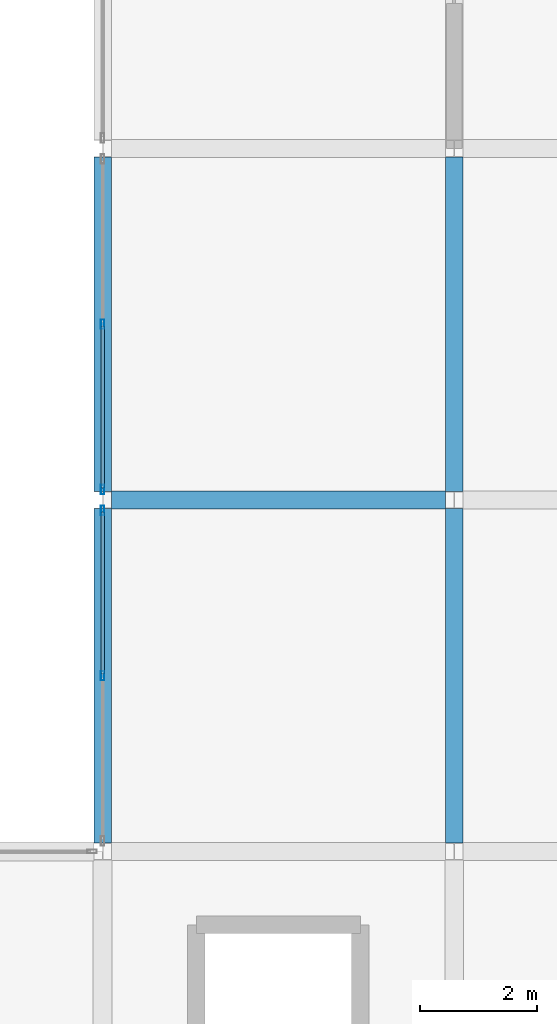
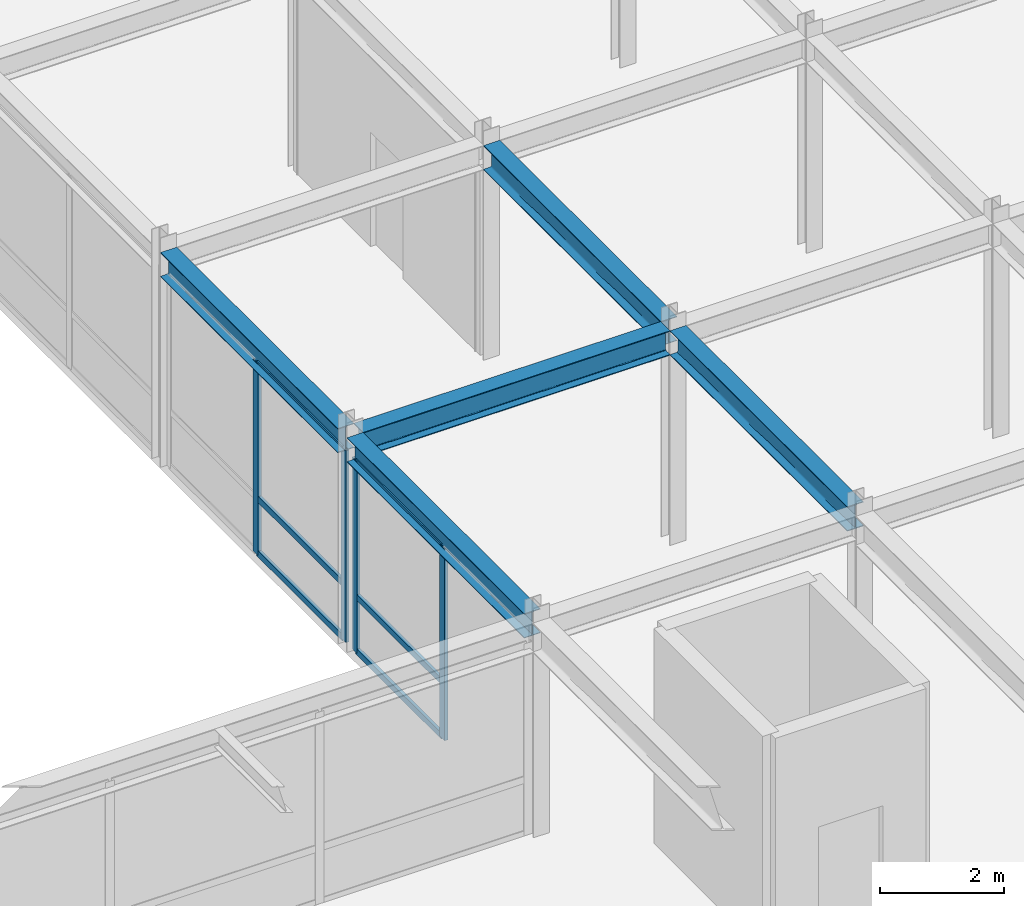
# One storey, part 44 of 108: 10 members, 5 beams, 2 elements without a shape of their own.
"""IFC4 building model written with IfcOpenShell, lengths in metres."""

from ifc_helpers import new_model, si_unit, direction, frame, origin, origin_2d, place, context, subcontext, project, spatial, hollow_rectangle, i_section, extrude, material, layer, layer_set, material_profile, profile_set, type_object, element, aggregate, save


model = new_model("IFC4")

# Units and contexts
model_context = context("Model", 3, precision=1e-05, world=origin(), true_north=direction((0.0, 1.0)))
body_context = subcontext(model_context, "Body", "Model", "MODEL_VIEW")
ifc_project = project(units=[si_unit("LENGTHUNIT", "METRE"), si_unit("AREAUNIT", "SQUARE_METRE"), si_unit("VOLUMEUNIT", "CUBIC_METRE"), si_unit("PLANEANGLEUNIT", "RADIAN"), si_unit("MASSUNIT", "GRAM", prefix="KILO")], contexts=[model_context])

# Site, building, storey
site_placement = place(None, origin())
site = spatial("IfcSite", under=ifc_project, at=site_placement, CompositionType="ELEMENT")
building_placement = place(site_placement, origin())
building = spatial("IfcBuilding", under=site, at=building_placement, Name="Zlatovratsky Civic Hall", CompositionType="ELEMENT")
storey_placement = place(building_placement, frame((0.0, 0.0, 12.0)))
storey = spatial("IfcBuildingStorey", under=building, at=storey_placement, Name="L03", CompositionType="ELEMENT", Elevation=12.0)

# Beams
ifc_material_1 = material(Name="Steel S355", Category="steel")
ifc_material_profile_1 = material_profile(ifc_material_1, i_section(OverallWidth=0.300048828125, OverallDepth=0.48193359375, WebThickness=0.010986328125, FlangeThickness=0.014892578125, FilletRadius=0.02392578125, at=origin_2d()), Name="50Sh1")
ifc_profile_set_1 = profile_set([ifc_material_profile_1], Name="Steel S355")
beam_type = type_object("IfcBeamType", Name="Beam_LibraryGirder_50Sh1", PredefinedType="BEAM", material=ifc_profile_set_1)
beam_placement = place(storey_placement, frame((48.1494140625, 36.0, 3.97900390625), z_axis=(1.0, 0.0, 0.0), x_axis=(0.0, 1.0, 0.0)))
element("IfcBeam", 1, at=beam_placement, inside=storey, type_object=beam_type, Name="BM-2545", PredefinedType="BEAM", context=body_context, shape_type="SweptSolid", body=[
    extrude(i_section(OverallWidth=0.300048828125, OverallDepth=0.48193359375, WebThickness=0.010986328125, FlangeThickness=0.014892578125, FilletRadius=0.02392578125, at=origin_2d()), origin(), (0.0, 0.0, 1.0), 5.701171875),
])
for number, where, z_axis, x_axis, name in (
    (2, (48.0, 30.14794921875, 3.97900390625), (0.0, 1.0, 0.0), (-1.0, 0.0, 0.0), "BM-2869"),
    (3, (48.0, 36.14794921875, 3.97900390625), (0.0, 1.0, 0.0), (-1.0, 0.0, 0.0), "BM-2870"),
    (4, (54.0, 30.14794921875, 3.97900390625), (0.0, 1.0, 0.0), (-1.0, 0.0, 0.0), "BM-2886"),
    (5, (54.0, 36.14794921875, 3.97900390625), (0.0, 1.0, 0.0), (-1.0, 0.0, 0.0), "BM-2887"),
):
    element("IfcBeam", number, at=place(storey_placement, frame(where, z_axis=z_axis, x_axis=x_axis)), inside=storey, type_object=beam_type, Name=name, PredefinedType="BEAM", context=body_context, shape_type="SweptSolid", body=[
        extrude(i_section(OverallWidth=0.300048828125, OverallDepth=0.48193359375, WebThickness=0.010986328125, FlangeThickness=0.014892578125, FilletRadius=0.02392578125, at=origin_2d()), origin(), (0.0, 0.0, 1.0), 5.7041015625),
    ])

# Curtain wall, members
ifc_material_2 = material(Name="Anodised bronze aluminium", Category="aluminium")
ifc_layer = layer(ifc_material_2, 0.159912109375)
ifc_layer_set = layer_set([ifc_layer], Name="Anodised bronze aluminium")
curtain_wall_type = type_object("IfcCurtainWallType", Name="CurtainWall_Bronze_5700x3770_12", PredefinedType="NOTDEFINED", material=ifc_layer_set)
curtain_wall_1_placement = place(storey_placement, origin())
curtain_wall_1 = element("IfcCurtainWall", 6, at=curtain_wall_1_placement, inside=storey, type_object=curtain_wall_type, Name="CW-063", PredefinedType="NOTDEFINED")
ifc_material_profile_2 = material_profile(ifc_material_2, hollow_rectangle(XDim=0.06005859375, YDim=0.159912109375, WallThickness=0.00390625, at=origin_2d()), Name="ALU 60x160x4")
ifc_profile_set_2 = profile_set([ifc_material_profile_2], Name="Anodised bronze aluminium")
member_type_1 = type_object("IfcMemberType", Name="CW_Mullion_60x160", PredefinedType="MULLION", material=ifc_profile_set_2)
member_1_placement = place(storey_placement, frame((48.0, 33.0, 0.0), z_axis=(0.0, 0.0, 1.0), x_axis=(-1.0, 0.0, 0.0)))
member_1 = element("IfcMember", 7, at=member_1_placement, type_object=member_type_1, Name="CW-12 mullion 2", PredefinedType="MULLION", context=body_context, shape_type="SweptSolid", body=[
    extrude(hollow_rectangle(XDim=0.06005859375, YDim=0.159912109375, WallThickness=0.00390625, at=origin_2d()), origin(), (0.0, 0.0, 1.0), 3.77001953125),
])
member_2_placement = place(storey_placement, frame((48.0, 35.822021484375, 0.0), z_axis=(0.0, 0.0, 1.0), x_axis=(-1.0, 0.0, 0.0)))
member_2 = element("IfcMember", 8, at=member_2_placement, type_object=member_type_1, Name="CW-12 mullion 3", PredefinedType="MULLION", context=body_context, shape_type="SweptSolid", body=[
    extrude(hollow_rectangle(XDim=0.06005859375, YDim=0.159912109375, WallThickness=0.00390625, at=origin_2d()), origin(), (0.0, 0.0, 1.0), 3.77001953125),
])

curtain_wall_2_placement = place(storey_placement, origin())
curtain_wall_2 = element("IfcCurtainWall", 9, at=curtain_wall_2_placement, inside=storey, type_object=curtain_wall_type, Name="CW-064", PredefinedType="NOTDEFINED")
member_3_placement = place(storey_placement, frame((48.0, 36.177978515625, 0.0), z_axis=(0.0, 0.0, 1.0), x_axis=(-1.0, 0.0, 0.0)))
member_3 = element("IfcMember", 10, at=member_3_placement, type_object=member_type_1, Name="CW-12 mullion 1", PredefinedType="MULLION", context=body_context, shape_type="SweptSolid", body=[
    extrude(hollow_rectangle(XDim=0.06005859375, YDim=0.159912109375, WallThickness=0.00390625, at=origin_2d()), origin(), (0.0, 0.0, 1.0), 3.77001953125),
])
member_4_placement = place(storey_placement, frame((48.0, 39.0, 0.0), z_axis=(0.0, 0.0, 1.0), x_axis=(-1.0, 0.0, 0.0)))
member_4 = element("IfcMember", 11, at=member_4_placement, type_object=member_type_1, Name="CW-12 mullion 2", PredefinedType="MULLION", context=body_context, shape_type="SweptSolid", body=[
    extrude(hollow_rectangle(XDim=0.06005859375, YDim=0.159912109375, WallThickness=0.00390625, at=origin_2d()), origin(), (0.0, 0.0, 1.0), 3.77001953125),
])

# Member
ifc_material_profile_3 = material_profile(ifc_material_2, hollow_rectangle(XDim=0.06005859375, YDim=0.1201171875, WallThickness=0.00390625, at=origin_2d()), Name="ALU 60x120x4")
ifc_profile_set_3 = profile_set([ifc_material_profile_3], Name="Anodised bronze aluminium")
member_type_2 = type_object("IfcMemberType", Name="CW_Transom_60x120", PredefinedType="USERDEFINED", material=ifc_profile_set_3)
member_5_placement = place(storey_placement, frame((48.0, 33.030029296875, 0.030029296875), z_axis=(0.0, 1.0, 0.0), x_axis=(-1.0, 0.0, 0.0)))
member_5 = element("IfcMember", 12, at=member_5_placement, type_object=member_type_2, Name="CW-12 transom 2.1", ObjectType="TRANSOM", PredefinedType="USERDEFINED", context=body_context, shape_type="SweptSolid", body=[
    extrude(hollow_rectangle(XDim=0.06005859375, YDim=0.1201171875, WallThickness=0.00390625, at=origin_2d()), origin(), (0.0, 0.0, 1.0), 2.761962890625),
])

member_6_placement = place(storey_placement, frame((48.0, 33.030029296875, 1.10009765625), z_axis=(0.0, 1.0, 0.0), x_axis=(-1.0, 0.0, 0.0)))
member_6 = element("IfcMember", 13, at=member_6_placement, type_object=member_type_2, Name="CW-12 transom 2.2", ObjectType="TRANSOM", PredefinedType="USERDEFINED", context=body_context, shape_type="SweptSolid", body=[
    extrude(hollow_rectangle(XDim=0.06005859375, YDim=0.1201171875, WallThickness=0.00390625, at=origin_2d()), origin(), (0.0, 0.0, 1.0), 2.761962890625),
])

member_7_placement = place(storey_placement, frame((48.0, 33.030029296875, 3.739990234375), z_axis=(0.0, 1.0, 0.0), x_axis=(-1.0, 0.0, 0.0)))
member_7 = element("IfcMember", 14, at=member_7_placement, type_object=member_type_2, Name="CW-12 transom 2.3", ObjectType="TRANSOM", PredefinedType="USERDEFINED", context=body_context, shape_type="SweptSolid", body=[
    extrude(hollow_rectangle(XDim=0.06005859375, YDim=0.1201171875, WallThickness=0.00390625, at=origin_2d()), origin(), (0.0, 0.0, 1.0), 2.761962890625),
])

aggregate(curtain_wall_1, [member_1, member_2, member_5, member_6, member_7])

member_8_placement = place(storey_placement, frame((48.0, 36.2080078125, 0.030029296875), z_axis=(0.0, 1.0, 0.0), x_axis=(-1.0, 0.0, 0.0)))
member_8 = element("IfcMember", 15, at=member_8_placement, type_object=member_type_2, Name="CW-12 transom 1.1", ObjectType="TRANSOM", PredefinedType="USERDEFINED", context=body_context, shape_type="SweptSolid", body=[
    extrude(hollow_rectangle(XDim=0.06005859375, YDim=0.1201171875, WallThickness=0.00390625, at=origin_2d()), origin(), (0.0, 0.0, 1.0), 2.761962890625),
])

member_9_placement = place(storey_placement, frame((48.0, 36.2080078125, 1.10009765625), z_axis=(0.0, 1.0, 0.0), x_axis=(-1.0, 0.0, 0.0)))
member_9 = element("IfcMember", 16, at=member_9_placement, type_object=member_type_2, Name="CW-12 transom 1.2", ObjectType="TRANSOM", PredefinedType="USERDEFINED", context=body_context, shape_type="SweptSolid", body=[
    extrude(hollow_rectangle(XDim=0.06005859375, YDim=0.1201171875, WallThickness=0.00390625, at=origin_2d()), origin(), (0.0, 0.0, 1.0), 2.761962890625),
])

member_10_placement = place(storey_placement, frame((48.0, 36.2080078125, 3.739990234375), z_axis=(0.0, 1.0, 0.0), x_axis=(-1.0, 0.0, 0.0)))
member_10 = element("IfcMember", 17, at=member_10_placement, type_object=member_type_2, Name="CW-12 transom 1.3", ObjectType="TRANSOM", PredefinedType="USERDEFINED", context=body_context, shape_type="SweptSolid", body=[
    extrude(hollow_rectangle(XDim=0.06005859375, YDim=0.1201171875, WallThickness=0.00390625, at=origin_2d()), origin(), (0.0, 0.0, 1.0), 2.761962890625),
])

aggregate(curtain_wall_2, [member_3, member_4, member_8, member_9, member_10])

save(model, "model.ifc")
